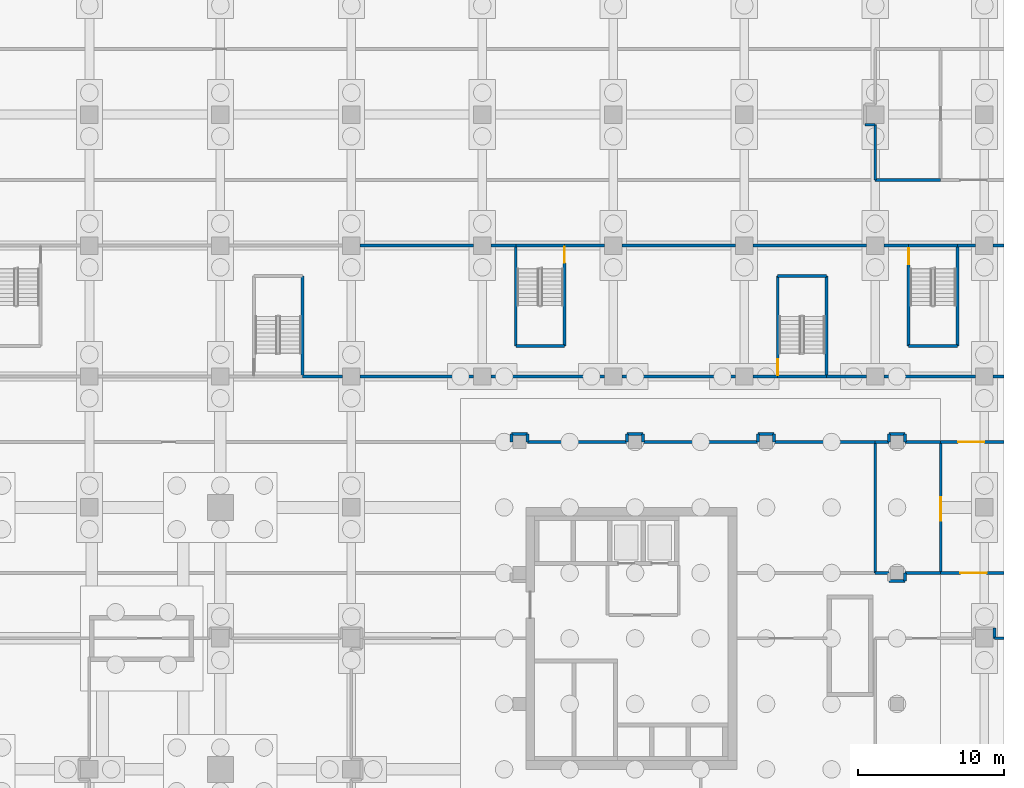
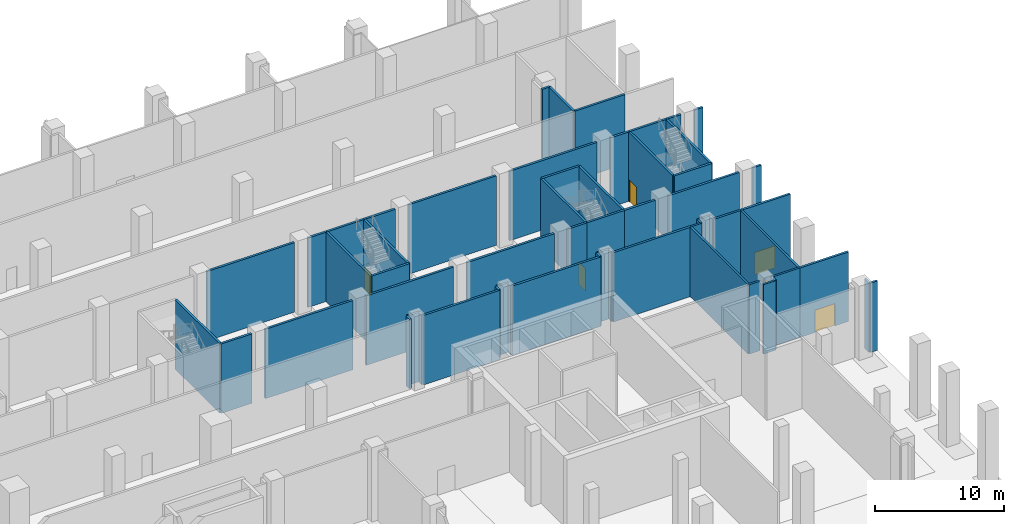
# One storey, part 14 of 23: 59 walls, 6 doors, 6 openings.
"""IFC4 building model written with IfcOpenShell, lengths in metres."""

import ifcopenshell
import ifcopenshell.guid

model = None  # the IFC model being written
_history = None  # IfcOwnerHistory: only IFC2X3 demands one
_inside = {}  # id of a spatial element -> (the spatial element, [elements in it])
_under = {}  # id of a project, library or spatial element -> (it, [spatial elements below it])
_declared = {}  # id of a project -> (the project, [libraries it declares])
_typed = {}  # id of a type object -> (the type object, [elements of that type])
_made_of = {}  # id of a material, layer set ... -> (it, [elements and type objects made of it])


def new_model(schema):
    """Start an empty IFC model of exactly this schema.

    Asked for "IFC4X3", IfcOpenShell would pick the latest addendum, in which some entities
    have other attributes; the version numbers below select the first issue.
    IFC2X3 requires an IfcOwnerHistory on every rooted entity: one is made here for all.
    """
    global model, _history
    if schema == "IFC4X3":
        model = ifcopenshell.file(schema_version=(4, 3, 0, 0))
    else:
        model = ifcopenshell.file(schema=schema)
    _inside.clear()
    _under.clear()
    _declared.clear()
    _typed.clear()
    _made_of.clear()
    _history = None
    if model.schema == "IFC2X3":
        org = make("IfcOrganization", Name="unknown")
        user = make(
            "IfcPersonAndOrganization",
            ThePerson=make("IfcPerson", FamilyName="unknown"),
            TheOrganization=org,
        )
        app = make(
            "IfcApplication",
            ApplicationDeveloper=org,
            Version="unknown",
            ApplicationFullName="unknown",
            ApplicationIdentifier="unknown",
        )
        _history = make(
            "IfcOwnerHistory",
            OwningUser=user,
            OwningApplication=app,
            ChangeAction="ADDED",
            CreationDate=0,
        )
    return model


def make(cls, **values):
    """One entity of the class cls with the attributes given. An attribute that is None is left unset."""
    return model.create_entity(
        cls, **{name: value for name, value in values.items() if value is not None}
    )


def rooted(cls, **values):
    """An entity with a GlobalId (a new one), such as an element, a storey or a relation."""
    return make(cls, GlobalId=ifcopenshell.guid.new(), OwnerHistory=_history, **values)


def si_unit(unit_type, name, prefix=None):
    """IfcSIUnit, for example si_unit("LENGTHUNIT", "METRE", prefix="MILLI")."""
    return make("IfcSIUnit", UnitType=unit_type, Prefix=prefix, Name=name)


def assignment(units):
    """IfcUnitAssignment: the units of a project."""
    return None if units is None else make("IfcUnitAssignment", Units=units)


def point(xyz):
    """IfcCartesianPoint."""
    return None if xyz is None else make("IfcCartesianPoint", Coordinates=xyz)


def direction(xyz):
    """IfcDirection."""
    return None if xyz is None else make("IfcDirection", DirectionRatios=xyz)


def frame(location, z_axis=None, x_axis=None):
    """IfcAxis2Placement3D, a coordinate frame: its origin and axes. An axis left out is left unset."""
    return make(
        "IfcAxis2Placement3D",
        Location=point(location),
        Axis=direction(z_axis),
        RefDirection=direction(x_axis),
    )


def frame_2d(location, x_axis=None):
    """IfcAxis2Placement2D, a coordinate frame in the plane: its origin and x axis."""
    return make(
        "IfcAxis2Placement2D", Location=point(location), RefDirection=direction(x_axis)
    )


def origin():
    """The frame at (0, 0, 0) with its axes left unset."""
    return frame((0.0, 0.0, 0.0))


def place(relative_to, where):
    """IfcLocalPlacement: puts the frame where relative to a parent placement (None: the world)."""
    return make(
        "IfcLocalPlacement", PlacementRelTo=relative_to, RelativePlacement=where
    )


def context(
    kind, dimensions, precision=None, world=None, true_north=None, identifier=None
):
    """IfcGeometricRepresentationContext, for example the 3D "Model" context."""
    return make(
        "IfcGeometricRepresentationContext",
        ContextIdentifier=identifier,
        ContextType=kind,
        CoordinateSpaceDimension=dimensions,
        Precision=precision,
        WorldCoordinateSystem=world,
        TrueNorth=true_north,
    )


def subcontext(parent, identifier, kind, view, scale=None):
    """IfcGeometricRepresentationSubContext, for example "Body" below "Model"."""
    return make(
        "IfcGeometricRepresentationSubContext",
        ContextIdentifier=identifier,
        ContextType=kind,
        ParentContext=parent,
        TargetScale=scale,
        TargetView=view,
    )


def project(units=None, contexts=None):
    """IfcProject with its units and contexts."""
    return rooted(
        "IfcProject",
        Name="project",
        RepresentationContexts=contexts,
        UnitsInContext=assignment(units),
    )


def spatial(cls, under=None, at=None, **own):
    """A site, building, storey or space (cls), placed at a placement, below another one or the project."""
    s = rooted(cls, ObjectPlacement=at, **own)
    if under is not None:
        _under.setdefault(under.id(), (under, []))[1].append(s)
    return s


def profile(cls, at=None, kind="AREA", **sizes):
    """A parametric profile (cls). Its sizes go by their IFC names, for example OverallWidth=200.0."""
    return make(cls, ProfileType=kind, Position=at, **sizes)


def rectangle(**sizes):
    """IfcRectangleProfileDef."""
    return profile("IfcRectangleProfileDef", **sizes)


def extrude(swept, where, along, depth):
    """IfcExtrudedAreaSolid: the profile swept, set in the frame where, extruded along a direction by depth."""
    return make(
        "IfcExtrudedAreaSolid",
        SweptArea=swept,
        Position=where,
        ExtrudedDirection=direction(along),
        Depth=depth,
    )


def shape(context_of_items, identifier, shape_type, items):
    """IfcShapeRepresentation: the items that make up one representation, for example the "Body"."""
    return make(
        "IfcShapeRepresentation",
        ContextOfItems=context_of_items,
        RepresentationIdentifier=identifier,
        RepresentationType=shape_type,
        Items=items,
    )


def material(Name=None, Category=None):
    """IfcMaterial."""
    return make("IfcMaterial", Name=Name, Category=Category)


def layer(
    of_material, thickness, ventilated=None, Name=None, Category=None, Priority=None
):
    """IfcMaterialLayer: one layer of a wall or slab, of a material (None: an air gap)."""
    return make(
        "IfcMaterialLayer",
        Material=of_material,
        LayerThickness=thickness,
        IsVentilated=ventilated,
        Name=Name,
        Category=Category,
        Priority=Priority,
    )


def layer_set(layers, Name=None):
    """IfcMaterialLayerSet."""
    return make("IfcMaterialLayerSet", MaterialLayers=layers, LayerSetName=Name)


def made_of(thing, what):
    """Note that an element or type object is made of a material, layer set ...; save() writes the relation."""
    if what is not None:
        _made_of.setdefault(what.id(), (what, []))[1].append(thing)
    return thing


def type_object(cls, material=None, **own):
    """A type object (cls), such as IfcWallType, which elements share."""
    return made_of(rooted(cls, **own), material)


def element(
    cls,
    number,
    at=None,
    inside=None,
    cuts=None,
    type_object=None,
    material=None,
    context=None,
    identifier="Body",
    shape_type=None,
    held_by="IfcProductDefinitionShape",
    body=None,
    shapes=None,
    **own,
):
    """One element of the class cls, such as IfcWall. Its Tag is "e" and its number.

    at: its placement. inside: the storey or other place that contains it. cuts: it is an
    opening in that element (IfcRelVoidsElement). A single representation is given by context,
    identifier, shape_type and body (its items); several are given by shapes. held_by: the class
    of the entity that holds the representations. save() writes the other relations.
    """
    e = rooted(cls, Tag="e%d" % number, ObjectPlacement=at, **own)
    if body is not None:
        shapes = [shape(context, identifier, shape_type, body)]
    if shapes is not None:
        e.Representation = make(held_by, Representations=shapes)
    if inside is not None:
        _inside.setdefault(inside.id(), (inside, []))[1].append(e)
    if cuts is not None:
        rooted(
            "IfcRelVoidsElement", RelatingBuildingElement=cuts, RelatedOpeningElement=e
        )
    if type_object is not None:
        _typed.setdefault(type_object.id(), (type_object, []))[1].append(e)
    return made_of(e, material)


def fill(opening, filler):
    """IfcRelFillsElement: the door or window that sits in an opening."""
    return rooted(
        "IfcRelFillsElement",
        RelatingOpeningElement=opening,
        RelatedBuildingElement=filler,
    )


def aggregate(whole, parts):
    """IfcRelAggregates: a whole, such as a stair, and the parts it consists of."""
    return rooted("IfcRelAggregates", RelatingObject=whole, RelatedObjects=parts)


def save(model, path):
    """Write the relations noted so far, then the file.

    IfcRelAggregates (storeys below a building ...), IfcRelContainedInSpatialStructure (elements
    in a storey), IfcRelDefinesByType, IfcRelAssociatesMaterial and IfcRelDeclares: one each for
    every whole, place, type object, material and project.
    """
    for whole, parts in _under.values():
        aggregate(whole, parts)
    for where, things in _inside.values():
        rooted(
            "IfcRelContainedInSpatialStructure",
            RelatedElements=things,
            RelatingStructure=where,
        )
    for kind, things in _typed.values():
        rooted("IfcRelDefinesByType", RelatedObjects=things, RelatingType=kind)
    for what, things in _made_of.values():
        rooted("IfcRelAssociatesMaterial", RelatedObjects=things, RelatingMaterial=what)
    for by, libraries in _declared.values():
        rooted("IfcRelDeclares", RelatingContext=by, RelatedDefinitions=libraries)
    model.write(path)


model = new_model("IFC4")

# Units and contexts
model_context = context("Model", 3, precision=1e-05, world=origin(), true_north=direction((0.0, 1.0)))
body_context = subcontext(model_context, "Body", "Model", "MODEL_VIEW")
ifc_project = project(units=[si_unit("LENGTHUNIT", "METRE"), si_unit("AREAUNIT", "SQUARE_METRE"), si_unit("VOLUMEUNIT", "CUBIC_METRE"), si_unit("PLANEANGLEUNIT", "RADIAN"), si_unit("MASSUNIT", "GRAM", prefix="KILO")], contexts=[model_context])

# Site, building, storey
site_placement = place(None, origin())
site = spatial("IfcSite", under=ifc_project, at=site_placement, CompositionType="ELEMENT")
building_placement = place(site_placement, origin())
building = spatial("IfcBuilding", under=site, at=building_placement, Name="Plateau Cross Towers", CompositionType="ELEMENT")
storey_placement = place(building_placement, frame((0.0, 0.0, -7.0)))
storey = spatial("IfcBuildingStorey", under=building, at=storey_placement, Name="B1", CompositionType="ELEMENT", Elevation=-7.0)

# Wall
ifc_material_1 = material(Name="Dense masonry block, plastered, acoustic lining", Category="masonry")
ifc_layer_1 = layer(ifc_material_1, 0.179931640625)
ifc_layer_set_1 = layer_set([ifc_layer_1], Name="Dense masonry block, plastered, acoustic lining")
wall_type_1 = type_object("IfcWallType", Name="Plant room acoustic wall 180", PredefinedType="PARTITIONING", material=ifc_layer_set_1)
wall_1_placement = place(storey_placement, frame((107.199951171875, 9.0, 0.0), z_axis=(0.0, 0.0, 1.0), x_axis=(0.0, 1.0, 0.0)))
element("IfcWall", 1, at=wall_1_placement, inside=storey, type_object=wall_type_1, Name="Partition wall", PredefinedType="PARTITIONING", context=body_context, shape_type="SweptSolid", body=[
    extrude(rectangle(XDim=0.699951171875, YDim=0.179931640625, at=frame_2d((0.35009765625, 0.0))), origin(), (0.0, 0.0, 1.0), 6.550048828125),
])

# Wall, opening, door
wall_2_placement = place(storey_placement, frame((103.5, 13.5, 0.0), z_axis=(0.0, 0.0, 1.0), x_axis=(0.0, 1.0, 0.0)))
wall_2 = element("IfcWall", 2, at=wall_2_placement, inside=storey, type_object=wall_type_1, Name="Partition wall", PredefinedType="PARTITIONING", context=body_context, shape_type="SweptSolid", body=[
    extrude(rectangle(XDim=9.0, YDim=0.179931640625, at=frame_2d((4.5, 0.0))), origin(), (0.0, 0.0, 1.0), 6.550048828125),
])
opening_1_placement = place(wall_2_placement, frame((3.60009765625, 0.0, 0.0)))
opening_1 = element("IfcOpeningElement", 3, at=opening_1_placement, cuts=wall_2, Name="Opening B1-12", PredefinedType="OPENING", context=body_context, shape_type="SweptSolid", body=[
    extrude(rectangle(XDim=1.60009765625, YDim=2.39990234375, at=frame_2d((0.800048828125, 1.199951171875))), frame((0.0, 0.099853515625, 0.0), z_axis=(0.0, -1.0, 0.0), x_axis=(1.0, 0.0, 0.0)), (0.0, 0.0, 1.0), 0.199951171875),
])
ifc_material_2 = material(Name="Steel, fire-resisting double leaf with louvre panel", Category="steel")
door_type_1 = type_object("IfcDoorType", Name="Plant room double door 1600x2400", OperationType="NOTDEFINED", PredefinedType="DOOR", material=ifc_material_2)
door_1_placement = place(opening_1_placement, origin())
door_1 = element("IfcDoor", 4, at=door_1_placement, inside=storey, type_object=door_type_1, Name="Door B1-12", OperationType="SINGLE_SWING_LEFT", OverallHeight=2.39990234375, OverallWidth=1.60009765625, PredefinedType="DOOR", context=body_context, shape_type="SweptSolid", body=[
    extrude(rectangle(XDim=1.60009765625, YDim=2.39990234375, at=frame_2d((0.800048828125, 1.199951171875))), frame((0.0, 0.02490234375, 0.0), z_axis=(0.0, -1.0, 0.0), x_axis=(1.0, 0.0, 0.0)), (0.0, 0.0, 1.0), 0.050048828125),
])
fill(opening_1, door_1)

# Walls
wall_3_placement = place(storey_placement, frame((99.0, 22.5, 0.0), z_axis=(0.0, 0.0, 1.0), x_axis=(0.0, -1.0, 0.0)))
element("IfcWall", 5, at=wall_3_placement, inside=storey, type_object=wall_type_1, Name="Partition wall", PredefinedType="PARTITIONING", context=body_context, shape_type="SweptSolid", body=[
    extrude(rectangle(XDim=9.0, YDim=0.179931640625, at=frame_2d((4.5, 0.0))), origin(), (0.0, 0.0, 1.0), 6.550048828125),
])
wall_4_placement = place(storey_placement, frame((103.5, 22.5, 0.0), z_axis=(0.0, 0.0, 1.0), x_axis=(-1.0, 0.0, 0.0)))
element("IfcWall", 6, at=wall_4_placement, inside=storey, type_object=wall_type_1, Name="Partition wall", PredefinedType="PARTITIONING", context=body_context, shape_type="SweptSolid", body=[
    extrude(rectangle(XDim=2.449951171875, YDim=0.179931640625, at=frame_2d((1.22509765625, 0.0))), origin(), (0.0, 0.0, 1.0), 6.550048828125),
])
wall_5_placement = place(storey_placement, frame((101.050048828125, 22.5, 0.0), z_axis=(0.0, 0.0, 1.0), x_axis=(0.0, 1.0, 0.0)))
element("IfcWall", 7, at=wall_5_placement, inside=storey, type_object=wall_type_1, Name="Partition wall", PredefinedType="PARTITIONING", context=body_context, shape_type="SweptSolid", body=[
    extrude(rectangle(XDim=0.550048828125, YDim=0.179931640625, at=frame_2d((0.27490234375, 0.0))), origin(), (0.0, 0.0, 1.0), 6.550048828125),
])
wall_6_placement = place(storey_placement, frame((101.050048828125, 23.050048828125, 0.0), z_axis=(0.0, 0.0, 1.0), x_axis=(-1.0, 0.0, 0.0)))
element("IfcWall", 8, at=wall_6_placement, inside=storey, type_object=wall_type_1, Name="Partition wall", PredefinedType="PARTITIONING", context=body_context, shape_type="SweptSolid", body=[
    extrude(rectangle(XDim=1.10009765625, YDim=0.179931640625, at=frame_2d((0.550048828125, 0.0))), origin(), (0.0, 0.0, 1.0), 6.550048828125),
])
wall_7_placement = place(storey_placement, frame((99.949951171875, 23.050048828125, 0.0), z_axis=(0.0, 0.0, 1.0), x_axis=(0.0, -1.0, 0.0)))
element("IfcWall", 9, at=wall_7_placement, inside=storey, type_object=wall_type_1, Name="Partition wall", PredefinedType="PARTITIONING", context=body_context, shape_type="SweptSolid", body=[
    extrude(rectangle(XDim=0.550048828125, YDim=0.179931640625, at=frame_2d((0.27490234375, 0.0))), origin(), (0.0, 0.0, 1.0), 6.550048828125),
])
for number, where, z_axis, x_axis, name in (
    (10, (99.949951171875, 22.5, 0.0), (0.0, 0.0, 1.0), (-1.0, 0.0, 0.0), "Partition wall"),
    (11, (99.0, 13.5, 0.0), (0.0, 0.0, 1.0), (1.0, 0.0, 0.0), "Partition wall"),
):
    element("IfcWall", number, at=place(storey_placement, frame(where, z_axis=z_axis, x_axis=x_axis)), inside=storey, type_object=wall_type_1, Name=name, PredefinedType="PARTITIONING", context=body_context, shape_type="SweptSolid", body=[
        extrude(rectangle(XDim=0.949951171875, YDim=0.179931640625, at=frame_2d((0.47509765625, 0.0))), origin(), (0.0, 0.0, 1.0), 6.550048828125),
    ])
wall_8_placement = place(storey_placement, frame((99.949951171875, 12.949951171875, 0.0), z_axis=(0.0, 0.0, 1.0), x_axis=(1.0, 0.0, 0.0)))
element("IfcWall", 12, at=wall_8_placement, inside=storey, type_object=wall_type_1, Name="Partition wall", PredefinedType="PARTITIONING", context=body_context, shape_type="SweptSolid", body=[
    extrude(rectangle(XDim=1.10009765625, YDim=0.179931640625, at=frame_2d((0.550048828125, 0.0))), origin(), (0.0, 0.0, 1.0), 6.550048828125),
])
wall_9_placement = place(storey_placement, frame((101.050048828125, 12.949951171875, 0.0), z_axis=(0.0, 0.0, 1.0), x_axis=(0.0, 1.0, 0.0)))
element("IfcWall", 13, at=wall_9_placement, inside=storey, type_object=wall_type_1, Name="Partition wall", PredefinedType="PARTITIONING", context=body_context, shape_type="SweptSolid", body=[
    extrude(rectangle(XDim=0.550048828125, YDim=0.179931640625, at=frame_2d((0.27490234375, 0.0))), origin(), (0.0, 0.0, 1.0), 6.550048828125),
])
wall_10_placement = place(storey_placement, frame((101.050048828125, 13.5, 0.0), z_axis=(0.0, 0.0, 1.0), x_axis=(1.0, 0.0, 0.0)))
element("IfcWall", 14, at=wall_10_placement, inside=storey, type_object=wall_type_1, Name="Partition wall", PredefinedType="PARTITIONING", context=body_context, shape_type="SweptSolid", body=[
    extrude(rectangle(XDim=2.449951171875, YDim=0.179931640625, at=frame_2d((1.22509765625, 0.0))), origin(), (0.0, 0.0, 1.0), 6.550048828125),
])
wall_11_placement = place(storey_placement, frame((107.85009765625, 9.0, 0.0), z_axis=(0.0, 0.0, 1.0), x_axis=(-1.0, 0.0, 0.0)))
element("IfcWall", 15, at=wall_11_placement, inside=storey, type_object=wall_type_1, Name="Partition wall", PredefinedType="PARTITIONING", context=body_context, shape_type="SweptSolid", body=[
    extrude(rectangle(XDim=0.650146484375, YDim=0.179931640625, at=frame_2d((0.3251953125, 0.0))), origin(), (0.0, 0.0, 1.0), 6.550048828125),
])
ifc_material_3 = material(Name="Gypsum board on steel studs", Category="steel")
ifc_layer_2 = layer(ifc_material_3, 0.199951171875)
ifc_layer_set_2 = layer_set([ifc_layer_2], Name="Gypsum board on steel studs")
wall_type_2 = type_object("IfcWallType", Name="Podium partition 200", PredefinedType="PARTITIONING", material=ifc_layer_set_2)
wall_12_placement = place(storey_placement, frame((81.949951171875, 23.050048828125, 0.0), z_axis=(0.0, 0.0, 1.0), x_axis=(0.0, -1.0, 0.0)))
element("IfcWall", 16, at=wall_12_placement, inside=storey, type_object=wall_type_2, Name="Partition wall", PredefinedType="PARTITIONING", context=body_context, shape_type="SweptSolid", body=[
    extrude(rectangle(XDim=0.550048828125, YDim=0.199951171875, at=frame_2d((0.27490234375, 0.0))), origin(), (0.0, 0.0, 1.0), 6.550048828125),
])
wall_13_placement = place(storey_placement, frame((81.949951171875, 22.5, 0.0), z_axis=(0.0, 0.0, 1.0), x_axis=(-1.0, 0.0, 0.0)))
element("IfcWall", 17, at=wall_13_placement, inside=storey, type_object=wall_type_2, Name="Partition wall", PredefinedType="PARTITIONING", context=body_context, shape_type="SweptSolid", body=[
    extrude(rectangle(XDim=6.849853515625, YDim=0.199951171875, at=frame_2d((3.4248046875, 0.0))), origin(), (0.0, 0.0, 1.0), 6.550048828125),
])
wall_14_placement = place(storey_placement, frame((75.10009765625, 22.5, 0.0), z_axis=(0.0, 0.0, 1.0), x_axis=(0.0, 1.0, 0.0)))
element("IfcWall", 18, at=wall_14_placement, inside=storey, type_object=wall_type_2, Name="Partition wall", PredefinedType="PARTITIONING", context=body_context, shape_type="SweptSolid", body=[
    extrude(rectangle(XDim=0.550048828125, YDim=0.199951171875, at=frame_2d((0.27490234375, 0.0))), origin(), (0.0, 0.0, 1.0), 6.550048828125),
])
wall_15_placement = place(storey_placement, frame((75.10009765625, 23.050048828125, 0.0), z_axis=(0.0, 0.0, 1.0), x_axis=(-1.0, 0.0, 0.0)))
element("IfcWall", 19, at=wall_15_placement, inside=storey, type_object=wall_type_2, Name="Partition wall", PredefinedType="PARTITIONING", context=body_context, shape_type="SweptSolid", body=[
    extrude(rectangle(XDim=1.10009765625, YDim=0.199951171875, at=frame_2d((0.550048828125, 0.0))), origin(), (0.0, 0.0, 1.0), 6.550048828125),
])
wall_16_placement = place(storey_placement, frame((74.0, 23.050048828125, 0.0), z_axis=(0.0, 0.0, 1.0), x_axis=(0.0, -1.0, 0.0)))
element("IfcWall", 20, at=wall_16_placement, inside=storey, type_object=wall_type_2, Name="Partition wall", PredefinedType="PARTITIONING", context=body_context, shape_type="SweptSolid", body=[
    extrude(rectangle(XDim=0.550048828125, YDim=0.199951171875, at=frame_2d((0.27490234375, 0.0))), origin(), (0.0, 0.0, 1.0), 6.550048828125),
])
wall_17_placement = place(storey_placement, frame((59.64990234375, 27.0, 0.0), z_axis=(0.0, 0.0, 1.0), x_axis=(1.0, 0.0, 0.0)))
element("IfcWall", 21, at=wall_17_placement, inside=storey, type_object=wall_type_2, Name="Partition wall", PredefinedType="PARTITIONING", context=body_context, shape_type="SweptSolid", body=[
    extrude(rectangle(XDim=2.75, YDim=0.199951171875, at=frame_2d((1.375, 0.0))), origin(), (0.0, 0.0, 1.0), 6.550048828125),
])
for number, where, z_axis, x_axis, name in (
    (22, (63.60009765625, 27.0, 0.0), (0.0, 0.0, 1.0), (1.0, 0.0, 0.0), "Partition wall"),
    (23, (72.60009765625, 27.0, 0.0), (0.0, 0.0, 1.0), (1.0, 0.0, 0.0), "Partition wall"),
    (24, (81.60009765625, 27.0, 0.0), (0.0, 0.0, 1.0), (1.0, 0.0, 0.0), "Partition wall"),
):
    element("IfcWall", number, at=place(storey_placement, frame(where, z_axis=z_axis, x_axis=x_axis)), inside=storey, type_object=wall_type_2, Name=name, PredefinedType="PARTITIONING", context=body_context, shape_type="SweptSolid", body=[
        extrude(rectangle(XDim=7.7998046875, YDim=0.199951171875, at=frame_2d((3.89990234375, 0.0))), origin(), (0.0, 0.0, 1.0), 6.550048828125),
    ])
for number, where, z_axis, x_axis, name in (
    (25, (90.60009765625, 27.0, 0.0), (0.0, 0.0, 1.0), (1.0, 0.0, 0.0), "Partition wall"),
    (26, (74.300048828125, 36.0, 0.0), (0.0, 0.0, 1.0), (-1.0, 0.0, 0.0), "Partition wall"),
):
    element("IfcWall", number, at=place(storey_placement, frame(where, z_axis=z_axis, x_axis=x_axis)), inside=storey, type_object=wall_type_2, Name=name, PredefinedType="PARTITIONING", context=body_context, shape_type="SweptSolid", body=[
        extrude(rectangle(XDim=1.699951171875, YDim=0.199951171875, at=frame_2d((0.85009765625, 0.0))), origin(), (0.0, 0.0, 1.0), 6.550048828125),
    ])
wall_18_placement = place(storey_placement, frame((71.39990234375, 36.0, 0.0), z_axis=(0.0, 0.0, 1.0), x_axis=(-1.0, 0.0, 0.0)))
element("IfcWall", 27, at=wall_18_placement, inside=storey, type_object=wall_type_2, Name="Partition wall", PredefinedType="PARTITIONING", context=body_context, shape_type="SweptSolid", body=[
    extrude(rectangle(XDim=7.7998046875, YDim=0.199951171875, at=frame_2d((3.89990234375, 0.0))), origin(), (0.0, 0.0, 1.0), 6.550048828125),
])
wall_19_placement = place(storey_placement, frame((101.300048828125, 36.0, 0.0), z_axis=(0.0, 0.0, 1.0), x_axis=(-1.0, 0.0, 0.0)))
element("IfcWall", 28, at=wall_19_placement, inside=storey, type_object=wall_type_2, Name="Partition wall", PredefinedType="PARTITIONING", context=body_context, shape_type="SweptSolid", body=[
    extrude(rectangle(XDim=1.699951171875, YDim=0.199951171875, at=frame_2d((0.85009765625, 0.0))), origin(), (0.0, 0.0, 1.0), 6.550048828125),
])
for number, where, z_axis, x_axis, name in (
    (29, (98.39990234375, 36.0, 0.0), (0.0, 0.0, 1.0), (-1.0, 0.0, 0.0), "Partition wall"),
    (30, (89.39990234375, 36.0, 0.0), (0.0, 0.0, 1.0), (-1.0, 0.0, 0.0), "Partition wall"),
):
    element("IfcWall", number, at=place(storey_placement, frame(where, z_axis=z_axis, x_axis=x_axis)), inside=storey, type_object=wall_type_2, Name=name, PredefinedType="PARTITIONING", context=body_context, shape_type="SweptSolid", body=[
        extrude(rectangle(XDim=7.7998046875, YDim=0.199951171875, at=frame_2d((3.89990234375, 0.0))), origin(), (0.0, 0.0, 1.0), 6.550048828125),
    ])
wall_20_placement = place(storey_placement, frame((80.39990234375, 36.0, 0.0), z_axis=(0.0, 0.0, 1.0), x_axis=(-1.0, 0.0, 0.0)))
element("IfcWall", 31, at=wall_20_placement, inside=storey, type_object=wall_type_2, Name="Partition wall", PredefinedType="PARTITIONING", context=body_context, shape_type="SweptSolid", body=[
    extrude(rectangle(XDim=2.75, YDim=0.199951171875, at=frame_2d((1.375, 0.0))), origin(), (0.0, 0.0, 1.0), 6.550048828125),
])
wall_21_placement = place(storey_placement, frame((99.0, 22.5, 0.0), z_axis=(0.0, 0.0, 1.0), x_axis=(-1.0, 0.0, 0.0)))
element("IfcWall", 32, at=wall_21_placement, inside=storey, type_object=wall_type_2, Name="Partition wall", PredefinedType="PARTITIONING", context=body_context, shape_type="SweptSolid", body=[
    extrude(rectangle(XDim=6.949951171875, YDim=0.199951171875, at=frame_2d((3.47509765625, 0.0))), origin(), (0.0, 0.0, 1.0), 6.550048828125),
])
wall_22_placement = place(storey_placement, frame((92.050048828125, 22.5, 0.0), z_axis=(0.0, 0.0, 1.0), x_axis=(0.0, 1.0, 0.0)))
element("IfcWall", 33, at=wall_22_placement, inside=storey, type_object=wall_type_2, Name="Partition wall", PredefinedType="PARTITIONING", context=body_context, shape_type="SweptSolid", body=[
    extrude(rectangle(XDim=0.550048828125, YDim=0.199951171875, at=frame_2d((0.27490234375, 0.0))), origin(), (0.0, 0.0, 1.0), 6.550048828125),
])
wall_23_placement = place(storey_placement, frame((92.050048828125, 23.050048828125, 0.0), z_axis=(0.0, 0.0, 1.0), x_axis=(-1.0, 0.0, 0.0)))
element("IfcWall", 34, at=wall_23_placement, inside=storey, type_object=wall_type_2, Name="Partition wall", PredefinedType="PARTITIONING", context=body_context, shape_type="SweptSolid", body=[
    extrude(rectangle(XDim=1.10009765625, YDim=0.199951171875, at=frame_2d((0.550048828125, 0.0))), origin(), (0.0, 0.0, 1.0), 6.550048828125),
])
wall_24_placement = place(storey_placement, frame((90.949951171875, 23.050048828125, 0.0), z_axis=(0.0, 0.0, 1.0), x_axis=(0.0, -1.0, 0.0)))
element("IfcWall", 35, at=wall_24_placement, inside=storey, type_object=wall_type_2, Name="Partition wall", PredefinedType="PARTITIONING", context=body_context, shape_type="SweptSolid", body=[
    extrude(rectangle(XDim=0.550048828125, YDim=0.199951171875, at=frame_2d((0.27490234375, 0.0))), origin(), (0.0, 0.0, 1.0), 6.550048828125),
])
wall_25_placement = place(storey_placement, frame((90.949951171875, 22.5, 0.0), z_axis=(0.0, 0.0, 1.0), x_axis=(-1.0, 0.0, 0.0)))
element("IfcWall", 36, at=wall_25_placement, inside=storey, type_object=wall_type_2, Name="Partition wall", PredefinedType="PARTITIONING", context=body_context, shape_type="SweptSolid", body=[
    extrude(rectangle(XDim=7.89990234375, YDim=0.199951171875, at=frame_2d((3.949951171875, 0.0))), origin(), (0.0, 0.0, 1.0), 6.550048828125),
])
wall_26_placement = place(storey_placement, frame((83.050048828125, 22.5, 0.0), z_axis=(0.0, 0.0, 1.0), x_axis=(0.0, 1.0, 0.0)))
element("IfcWall", 37, at=wall_26_placement, inside=storey, type_object=wall_type_2, Name="Partition wall", PredefinedType="PARTITIONING", context=body_context, shape_type="SweptSolid", body=[
    extrude(rectangle(XDim=0.550048828125, YDim=0.199951171875, at=frame_2d((0.27490234375, 0.0))), origin(), (0.0, 0.0, 1.0), 6.550048828125),
])
wall_27_placement = place(storey_placement, frame((83.050048828125, 23.050048828125, 0.0), z_axis=(0.0, 0.0, 1.0), x_axis=(-1.0, 0.0, 0.0)))
element("IfcWall", 38, at=wall_27_placement, inside=storey, type_object=wall_type_2, Name="Partition wall", PredefinedType="PARTITIONING", context=body_context, shape_type="SweptSolid", body=[
    extrude(rectangle(XDim=1.10009765625, YDim=0.199951171875, at=frame_2d((0.550048828125, 0.0))), origin(), (0.0, 0.0, 1.0), 6.550048828125),
])
wall_28_placement = place(storey_placement, frame((95.64990234375, 27.0, 0.0), z_axis=(0.0, 0.0, 1.0), x_axis=(1.0, 0.0, 0.0)))
element("IfcWall", 39, at=wall_28_placement, inside=storey, type_object=wall_type_2, Name="Partition wall", PredefinedType="PARTITIONING", context=body_context, shape_type="SweptSolid", body=[
    extrude(rectangle(XDim=2.75, YDim=0.199951171875, at=frame_2d((1.375, 0.0))), origin(), (0.0, 0.0, 1.0), 6.550048828125),
])
wall_29_placement = place(storey_placement, frame((99.60009765625, 27.0, 0.0), z_axis=(0.0, 0.0, 1.0), x_axis=(1.0, 0.0, 0.0)))
element("IfcWall", 40, at=wall_29_placement, inside=storey, type_object=wall_type_2, Name="Partition wall", PredefinedType="PARTITIONING", context=body_context, shape_type="SweptSolid", body=[
    extrude(rectangle(XDim=6.2998046875, YDim=0.199951171875, at=frame_2d((3.14990234375, 0.0))), origin(), (0.0, 0.0, 1.0), 6.550048828125),
])
wall_30_placement = place(storey_placement, frame((107.10009765625, 27.0, 0.0), z_axis=(0.0, 0.0, 1.0), x_axis=(1.0, 0.0, 0.0)))
element("IfcWall", 41, at=wall_30_placement, inside=storey, type_object=wall_type_2, Name="Partition wall", PredefinedType="PARTITIONING", context=body_context, shape_type="SweptSolid", body=[
    extrude(rectangle(XDim=0.75, YDim=0.199951171875, at=frame_2d((0.375, 0.0))), origin(), (0.0, 0.0, 1.0), 6.550048828125),
])
wall_31_placement = place(storey_placement, frame((98.300048828125, 44.300048828125, 0.0), z_axis=(0.0, 0.0, 1.0), x_axis=(1.0, 0.0, 0.0)))
element("IfcWall", 42, at=wall_31_placement, inside=storey, type_object=wall_type_2, Name="Partition wall", PredefinedType="PARTITIONING", context=body_context, shape_type="SweptSolid", body=[
    extrude(rectangle(XDim=0.699951171875, YDim=0.199951171875, at=frame_2d((0.35009765625, 0.0))), origin(), (0.0, 0.0, 1.0), 6.550048828125),
])
wall_32_placement = place(storey_placement, frame((99.0, 44.300048828125, 0.0), z_axis=(0.0, 0.0, 1.0), x_axis=(0.0, -1.0, 0.0)))
element("IfcWall", 43, at=wall_32_placement, inside=storey, type_object=wall_type_2, Name="Partition wall", PredefinedType="PARTITIONING", context=body_context, shape_type="SweptSolid", body=[
    extrude(rectangle(XDim=3.800048828125, YDim=0.199951171875, at=frame_2d((1.89990234375, 0.0))), origin(), (0.0, 0.0, 1.0), 6.550048828125),
])
wall_33_placement = place(storey_placement, frame((99.0, 40.5, 0.0), z_axis=(0.0, 0.0, 1.0), x_axis=(1.0, 0.0, 0.0)))
element("IfcWall", 44, at=wall_33_placement, inside=storey, type_object=wall_type_2, Name="Partition wall", PredefinedType="PARTITIONING", context=body_context, shape_type="SweptSolid", body=[
    extrude(rectangle(XDim=4.5, YDim=0.199951171875, at=frame_2d((2.25, 0.0))), origin(), (0.0, 0.0, 1.0), 6.550048828125),
])

# Wall, opening, door
wall_34_placement = place(storey_placement, frame((107.85009765625, 22.5, 0.0), z_axis=(0.0, 0.0, 1.0), x_axis=(-1.0, 0.0, 0.0)))
wall_34 = element("IfcWall", 45, at=wall_34_placement, inside=storey, type_object=wall_type_2, Name="Partition wall", PredefinedType="PARTITIONING", context=body_context, shape_type="SweptSolid", body=[
    extrude(rectangle(XDim=4.35009765625, YDim=0.199951171875, at=frame_2d((2.175048828125, 0.0))), origin(), (0.0, 0.0, 1.0), 6.550048828125),
])
opening_2_placement = place(wall_34_placement, frame((1.35009765625, 0.0, 0.0)))
opening_2 = element("IfcOpeningElement", 46, at=opening_2_placement, cuts=wall_34, Name="Opening B1-36", PredefinedType="OPENING", context=body_context, shape_type="SweptSolid", body=[
    extrude(rectangle(XDim=1.800048828125, YDim=2.10009765625, at=frame_2d((0.89990234375, 1.050048828125))), frame((0.0, 0.10986328125, 0.0), z_axis=(0.0, -1.0, 0.0), x_axis=(1.0, 0.0, 0.0)), (0.0, 0.0, 1.0), 0.219970703125),
])
ifc_material_4 = material(Name="Aluminium frame, toughened glass", Category="aluminium")
door_type_2 = type_object("IfcDoorType", Name="Podium door pair 1800", OperationType="NOTDEFINED", PredefinedType="DOOR", material=ifc_material_4)
door_2_placement = place(opening_2_placement, origin())
door_2 = element("IfcDoor", 47, at=door_2_placement, inside=storey, type_object=door_type_2, Name="Door B1-36", OperationType="DOUBLE_DOOR_SINGLE_SWING", OverallHeight=2.10009765625, OverallWidth=1.800048828125, PredefinedType="DOOR", context=body_context, shape_type="SweptSolid", body=[
    extrude(rectangle(XDim=1.800048828125, YDim=2.10009765625, at=frame_2d((0.89990234375, 1.050048828125))), frame((0.0, 0.02490234375, 0.0), z_axis=(0.0, -1.0, 0.0), x_axis=(1.0, 0.0, 0.0)), (0.0, 0.0, 1.0), 0.050048828125),
])
fill(opening_2, door_2)

wall_35_placement = place(storey_placement, frame((103.5, 13.5, 0.0), z_axis=(0.0, 0.0, 1.0), x_axis=(1.0, 0.0, 0.0)))
wall_35 = element("IfcWall", 48, at=wall_35_placement, inside=storey, type_object=wall_type_2, Name="Partition wall", PredefinedType="PARTITIONING", context=body_context, shape_type="SweptSolid", body=[
    extrude(rectangle(XDim=4.35009765625, YDim=0.199951171875, at=frame_2d((2.175048828125, 0.0))), origin(), (0.0, 0.0, 1.0), 6.550048828125),
])
opening_3_placement = place(wall_35_placement, frame((1.35009765625, 0.0, 0.0)))
opening_3 = element("IfcOpeningElement", 49, at=opening_3_placement, cuts=wall_35, Name="Opening B1-37", PredefinedType="OPENING", context=body_context, shape_type="SweptSolid", body=[
    extrude(rectangle(XDim=1.800048828125, YDim=2.10009765625, at=frame_2d((0.89990234375, 1.050048828125))), frame((0.0, 0.10986328125, 0.0), z_axis=(0.0, -1.0, 0.0), x_axis=(1.0, 0.0, 0.0)), (0.0, 0.0, 1.0), 0.219970703125),
])
door_3_placement = place(opening_3_placement, origin())
door_3 = element("IfcDoor", 50, at=door_3_placement, inside=storey, type_object=door_type_2, Name="Door B1-37", OperationType="DOUBLE_DOOR_SINGLE_SWING", OverallHeight=2.10009765625, OverallWidth=1.800048828125, PredefinedType="DOOR", context=body_context, shape_type="SweptSolid", body=[
    extrude(rectangle(XDim=1.800048828125, YDim=2.10009765625, at=frame_2d((0.89990234375, 1.050048828125))), frame((0.0, 0.02490234375, 0.0), z_axis=(0.0, -1.0, 0.0), x_axis=(1.0, 0.0, 0.0)), (0.0, 0.0, 1.0), 0.050048828125),
])
fill(opening_3, door_3)

# Walls
wall_36_placement = place(storey_placement, frame((107.85009765625, 36.0, 0.0), z_axis=(0.0, 0.0, 1.0), x_axis=(-1.0, 0.0, 0.0)))
element("IfcWall", 51, at=wall_36_placement, inside=storey, type_object=wall_type_2, Name="Partition wall", PredefinedType="PARTITIONING", context=body_context, shape_type="SweptSolid", body=[
    extrude(rectangle(XDim=0.75, YDim=0.199951171875, at=frame_2d((0.375, 0.0))), origin(), (0.0, 0.0, 1.0), 6.550048828125),
])
wall_37_placement = place(storey_placement, frame((105.89990234375, 36.0, 0.0), z_axis=(0.0, 0.0, 1.0), x_axis=(-1.0, 0.0, 0.0)))
element("IfcWall", 52, at=wall_37_placement, inside=storey, type_object=wall_type_2, Name="Partition wall", PredefinedType="PARTITIONING", context=body_context, shape_type="SweptSolid", body=[
    extrude(rectangle(XDim=1.25, YDim=0.199951171875, at=frame_2d((0.625, 0.0))), origin(), (0.0, 0.0, 1.0), 6.550048828125),
])
ifc_material_5 = material(Name="Fire-rated plasterboard shaft wall system")
ifc_layer_3 = layer(ifc_material_5, 0.199951171875)
ifc_layer_set_3 = layer_set([ifc_layer_3], Name="Fire-rated plasterboard shaft wall system")
wall_type_3 = type_object("IfcWallType", Name="Podium stair shaft wall 200", PredefinedType="PARTITIONING", material=ifc_layer_set_3)
wall_38_placement = place(storey_placement, frame((59.64990234375, 33.89990234375, 0.0), z_axis=(0.0, 0.0, 1.0), x_axis=(0.0, -1.0, 0.0)))
element("IfcWall", 53, at=wall_38_placement, inside=storey, type_object=wall_type_3, Name="Partition wall", PredefinedType="PARTITIONING", context=body_context, shape_type="SweptSolid", body=[
    extrude(rectangle(XDim=6.89990234375, YDim=0.199951171875, at=frame_2d((3.449951171875, 0.0))), origin(), (0.0, 0.0, 1.0), 6.550048828125),
])

# Wall, opening, door
wall_39_placement = place(storey_placement, frame((92.300048828125, 27.0, 0.0), z_axis=(0.0, 0.0, 1.0), x_axis=(0.0, 1.0, 0.0)))
wall_39 = element("IfcWall", 54, at=wall_39_placement, inside=storey, type_object=wall_type_3, Name="Partition wall", PredefinedType="PARTITIONING", context=body_context, shape_type="SweptSolid", body=[
    extrude(rectangle(XDim=6.89990234375, YDim=0.199951171875, at=frame_2d((3.449951171875, 0.0))), origin(), (0.0, 0.0, 1.0), 6.550048828125),
])
opening_4_placement = place(wall_39_placement, frame((0.10009765625, 0.0, 0.0)))
opening_4 = element("IfcOpeningElement", 55, at=opening_4_placement, cuts=wall_39, Name="Opening B1-05", PredefinedType="OPENING", context=body_context, shape_type="SweptSolid", body=[
    extrude(rectangle(XDim=1.10009765625, YDim=2.10009765625, at=frame_2d((0.550048828125, 1.050048828125))), frame((0.0, 0.10986328125, 0.0), z_axis=(0.0, -1.0, 0.0), x_axis=(1.0, 0.0, 0.0)), (0.0, 0.0, 1.0), 0.219970703125),
])
ifc_material_6 = material(Name="Steel, fire-resisting leaf", Category="steel")
door_type_3 = type_object("IfcDoorType", Name="Podium stair door 1100", OperationType="NOTDEFINED", PredefinedType="DOOR", material=ifc_material_6)
door_4_placement = place(opening_4_placement, origin())
door_4 = element("IfcDoor", 56, at=door_4_placement, inside=storey, type_object=door_type_3, Name="Door B1-05", OperationType="SINGLE_SWING_LEFT", OverallHeight=2.10009765625, OverallWidth=1.10009765625, PredefinedType="DOOR", context=body_context, shape_type="SweptSolid", body=[
    extrude(rectangle(XDim=1.10009765625, YDim=2.10009765625, at=frame_2d((0.550048828125, 1.050048828125))), frame((0.0, 0.02490234375, 0.0), z_axis=(0.0, -1.0, 0.0), x_axis=(1.0, 0.0, 0.0)), (0.0, 0.0, 1.0), 0.050048828125),
])
fill(opening_4, door_4)

# Walls
wall_40_placement = place(storey_placement, frame((92.300048828125, 33.89990234375, 0.0), z_axis=(0.0, 0.0, 1.0), x_axis=(1.0, 0.0, 0.0)))
element("IfcWall", 57, at=wall_40_placement, inside=storey, type_object=wall_type_3, Name="Partition wall", PredefinedType="PARTITIONING", context=body_context, shape_type="SweptSolid", body=[
    extrude(rectangle(XDim=3.349853515625, YDim=0.199951171875, at=frame_2d((1.6748046875, 0.0))), origin(), (0.0, 0.0, 1.0), 6.550048828125),
])
wall_41_placement = place(storey_placement, frame((95.64990234375, 33.89990234375, 0.0), z_axis=(0.0, 0.0, 1.0), x_axis=(0.0, -1.0, 0.0)))
element("IfcWall", 58, at=wall_41_placement, inside=storey, type_object=wall_type_3, Name="Partition wall", PredefinedType="PARTITIONING", context=body_context, shape_type="SweptSolid", body=[
    extrude(rectangle(XDim=6.89990234375, YDim=0.199951171875, at=frame_2d((3.449951171875, 0.0))), origin(), (0.0, 0.0, 1.0), 6.550048828125),
])

# Wall, opening, door
wall_42_placement = place(storey_placement, frame((77.64990234375, 36.0, 0.0), z_axis=(0.0, 0.0, 1.0), x_axis=(0.0, -1.0, 0.0)))
wall_42 = element("IfcWall", 59, at=wall_42_placement, inside=storey, type_object=wall_type_3, Name="Partition wall", PredefinedType="PARTITIONING", context=body_context, shape_type="SweptSolid", body=[
    extrude(rectangle(XDim=6.89990234375, YDim=0.199951171875, at=frame_2d((3.449951171875, 0.0))), origin(), (0.0, 0.0, 1.0), 6.550048828125),
])
opening_5_placement = place(wall_42_placement, frame((0.10009765625, 0.0, 0.0)))
opening_5 = element("IfcOpeningElement", 60, at=opening_5_placement, cuts=wall_42, Name="Opening B1-04", PredefinedType="OPENING", context=body_context, shape_type="SweptSolid", body=[
    extrude(rectangle(XDim=1.10009765625, YDim=2.10009765625, at=frame_2d((0.550048828125, 1.050048828125))), frame((0.0, 0.10986328125, 0.0), z_axis=(0.0, -1.0, 0.0), x_axis=(1.0, 0.0, 0.0)), (0.0, 0.0, 1.0), 0.219970703125),
])
door_5_placement = place(opening_5_placement, origin())
door_5 = element("IfcDoor", 61, at=door_5_placement, inside=storey, type_object=door_type_3, Name="Door B1-04", OperationType="SINGLE_SWING_LEFT", OverallHeight=2.10009765625, OverallWidth=1.10009765625, PredefinedType="DOOR", context=body_context, shape_type="SweptSolid", body=[
    extrude(rectangle(XDim=1.10009765625, YDim=2.10009765625, at=frame_2d((0.550048828125, 1.050048828125))), frame((0.0, 0.02490234375, 0.0), z_axis=(0.0, -1.0, 0.0), x_axis=(1.0, 0.0, 0.0)), (0.0, 0.0, 1.0), 0.050048828125),
])
fill(opening_5, door_5)

# Walls
wall_43_placement = place(storey_placement, frame((77.64990234375, 29.10009765625, 0.0), z_axis=(0.0, 0.0, 1.0), x_axis=(-1.0, 0.0, 0.0)))
element("IfcWall", 62, at=wall_43_placement, inside=storey, type_object=wall_type_3, Name="Partition wall", PredefinedType="PARTITIONING", context=body_context, shape_type="SweptSolid", body=[
    extrude(rectangle(XDim=3.349853515625, YDim=0.199951171875, at=frame_2d((1.6748046875, 0.0))), origin(), (0.0, 0.0, 1.0), 6.550048828125),
])
wall_44_placement = place(storey_placement, frame((104.64990234375, 36.0, 0.0), z_axis=(0.0, 0.0, 1.0), x_axis=(0.0, -1.0, 0.0)))
element("IfcWall", 63, at=wall_44_placement, inside=storey, type_object=wall_type_3, Name="Partition wall", PredefinedType="PARTITIONING", context=body_context, shape_type="SweptSolid", body=[
    extrude(rectangle(XDim=6.89990234375, YDim=0.199951171875, at=frame_2d((3.449951171875, 0.0))), origin(), (0.0, 0.0, 1.0), 6.550048828125),
])
wall_45_placement = place(storey_placement, frame((104.64990234375, 29.10009765625, 0.0), z_axis=(0.0, 0.0, 1.0), x_axis=(-1.0, 0.0, 0.0)))
element("IfcWall", 64, at=wall_45_placement, inside=storey, type_object=wall_type_3, Name="Partition wall", PredefinedType="PARTITIONING", context=body_context, shape_type="SweptSolid", body=[
    extrude(rectangle(XDim=3.349853515625, YDim=0.199951171875, at=frame_2d((1.6748046875, 0.0))), origin(), (0.0, 0.0, 1.0), 6.550048828125),
])
wall_46_placement = place(storey_placement, frame((74.300048828125, 29.10009765625, 0.0), z_axis=(0.0, 0.0, 1.0), x_axis=(0.0, 1.0, 0.0)))
element("IfcWall", 65, at=wall_46_placement, inside=storey, type_object=wall_type_3, Name="Partition wall", PredefinedType="PARTITIONING", context=body_context, shape_type="SweptSolid", body=[
    extrude(rectangle(XDim=6.89990234375, YDim=0.199951171875, at=frame_2d((3.449951171875, 0.0))), origin(), (0.0, 0.0, 1.0), 6.550048828125),
])

# Wall, opening, door
wall_47_placement = place(storey_placement, frame((101.300048828125, 29.10009765625, 0.0), z_axis=(0.0, 0.0, 1.0), x_axis=(0.0, 1.0, 0.0)))
wall_47 = element("IfcWall", 66, at=wall_47_placement, inside=storey, type_object=wall_type_3, Name="Partition wall", PredefinedType="PARTITIONING", context=body_context, shape_type="SweptSolid", body=[
    extrude(rectangle(XDim=6.89990234375, YDim=0.199951171875, at=frame_2d((3.449951171875, 0.0))), origin(), (0.0, 0.0, 1.0), 6.550048828125),
])
opening_6_placement = place(wall_47_placement, frame((5.60009765625, 0.0, 0.0)))
opening_6 = element("IfcOpeningElement", 67, at=opening_6_placement, cuts=wall_47, Name="Opening B1-06", PredefinedType="OPENING", context=body_context, shape_type="SweptSolid", body=[
    extrude(rectangle(XDim=1.10009765625, YDim=2.10009765625, at=frame_2d((0.550048828125, 1.050048828125))), frame((0.0, 0.10986328125, 0.0), z_axis=(0.0, -1.0, 0.0), x_axis=(1.0, 0.0, 0.0)), (0.0, 0.0, 1.0), 0.219970703125),
])
door_6_placement = place(opening_6_placement, origin())
door_6 = element("IfcDoor", 68, at=door_6_placement, inside=storey, type_object=door_type_3, Name="Door B1-06", OperationType="SINGLE_SWING_RIGHT", OverallHeight=2.10009765625, OverallWidth=1.10009765625, PredefinedType="DOOR", context=body_context, shape_type="SweptSolid", body=[
    extrude(rectangle(XDim=1.10009765625, YDim=2.10009765625, at=frame_2d((0.550048828125, 1.050048828125))), frame((0.0, 0.02490234375, 0.0), z_axis=(0.0, -1.0, 0.0), x_axis=(1.0, 0.0, 0.0)), (0.0, 0.0, 1.0), 0.050048828125),
])
fill(opening_6, door_6)

# Walls
for number, where, z_axis, x_axis, name in (
    (69, (74.300048828125, 36.0, 0.0), (0.0, 0.0, 1.0), (1.0, 0.0, 0.0), "Partition wall"),
    (70, (101.300048828125, 36.0, 0.0), (0.0, 0.0, 1.0), (1.0, 0.0, 0.0), "Partition wall"),
    (71, (95.64990234375, 27.0, 0.0), (0.0, 0.0, 1.0), (-1.0, 0.0, 0.0), "Partition wall"),
):
    element("IfcWall", number, at=place(storey_placement, frame(where, z_axis=z_axis, x_axis=x_axis)), inside=storey, type_object=wall_type_3, Name=name, PredefinedType="PARTITIONING", context=body_context, shape_type="SweptSolid", body=[
        extrude(rectangle(XDim=3.349853515625, YDim=0.199951171875, at=frame_2d((1.6748046875, 0.0))), origin(), (0.0, 0.0, 1.0), 6.550048828125),
    ])

save(model, "model.ifc")
